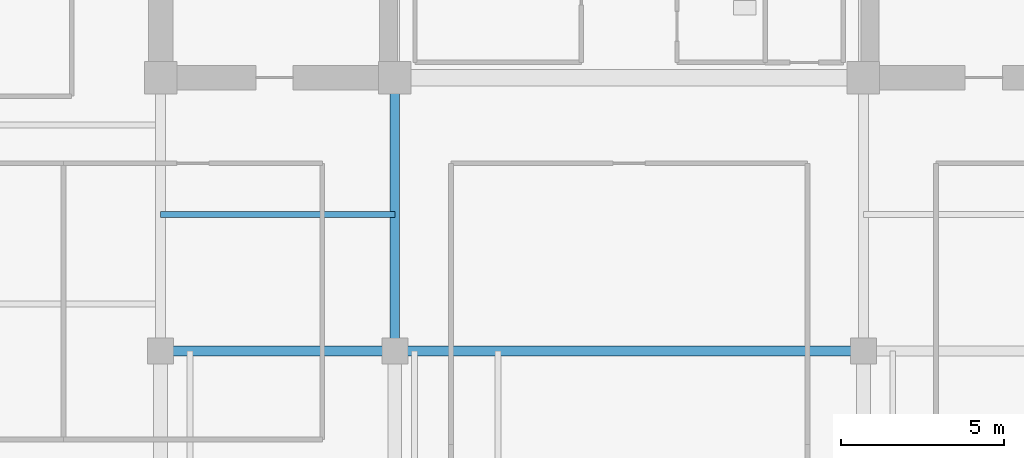
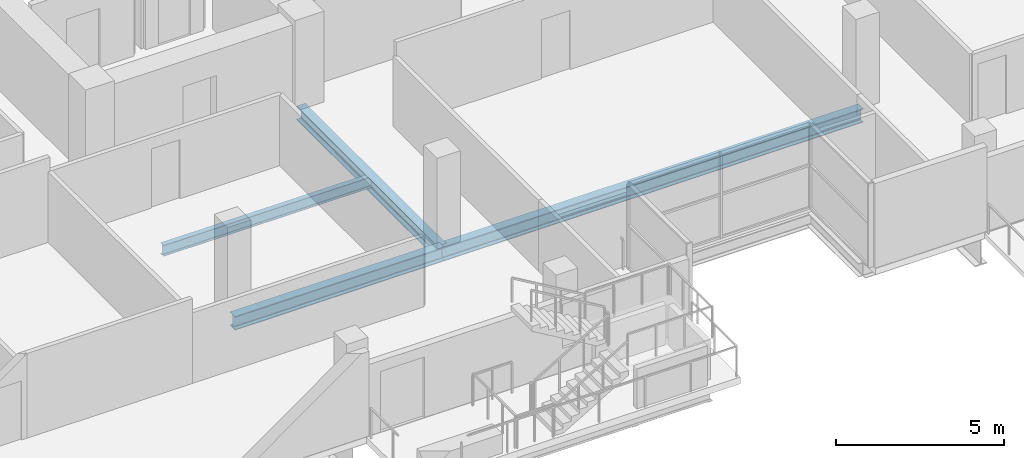
# One storey, part 4 of 23: 4 beams.
"""IFC4 building model written with IfcOpenShell, lengths in metres."""

from ifc_helpers import new_model, si_unit, direction, frame, origin, origin_2d, place, context, subcontext, project, spatial, i_section, extrude, material, material_profile, profile_set, type_object, element, save


model = new_model("IFC4")

# Units and contexts
model_context = context("Model", 3, precision=1e-05, world=origin(), true_north=direction((0.0, 1.0)))
body_context = subcontext(model_context, "Body", "Model", "MODEL_VIEW")
ifc_project = project(units=[si_unit("LENGTHUNIT", "METRE"), si_unit("AREAUNIT", "SQUARE_METRE"), si_unit("VOLUMEUNIT", "CUBIC_METRE"), si_unit("PLANEANGLEUNIT", "RADIAN"), si_unit("MASSUNIT", "GRAM", prefix="KILO")], contexts=[model_context])

# Site, building, storey
site_placement = place(None, origin())
site = spatial("IfcSite", under=ifc_project, at=site_placement, CompositionType="ELEMENT")
building_placement = place(site_placement, origin())
building = spatial("IfcBuilding", under=site, at=building_placement, Name="Zarnakvel Exchange Tower", CompositionType="ELEMENT")
storey_placement = place(building_placement, frame((0.0, 0.0, 146.199951171875)))
storey = spatial("IfcBuildingStorey", under=building, at=storey_placement, Name="L40", CompositionType="ELEMENT", Elevation=146.199951171875)

# Beams
ifc_material = material(Name="Steel S355", Category="steel")
ifc_material_profile_1 = material_profile(ifc_material, i_section(OverallWidth=0.179931640625, OverallDepth=0.39990234375, WebThickness=0.008544921875, FlangeThickness=0.013427734375, FilletRadius=0.02099609375, at=origin_2d()))
ifc_profile_set_1 = profile_set([ifc_material_profile_1], Name="Steel S355")
beam_type_1 = type_object("IfcBeamType", Name="B-06", PredefinedType="JOIST", material=ifc_profile_set_1)
beam_1_placement = place(storey_placement, frame((-14.39990234375, -5.39990234375, -0.425048828125), z_axis=(1.0, 0.0, 0.0), x_axis=(0.0, 1.0, 0.0)))
element("IfcBeam", 1, at=beam_1_placement, inside=storey, type_object=beam_type_1, Name="L40 Composite Floor Secondary Joist", PredefinedType="JOIST", context=body_context, shape_type="SweptSolid", body=[
    extrude(i_section(OverallWidth=0.179931640625, OverallDepth=0.39990234375, WebThickness=0.008544921875, FlangeThickness=0.013427734375, FilletRadius=0.02099609375, at=origin_2d()), origin(), (0.0, 0.0, 1.0), 7.199951171875),
])
ifc_material_profile_2 = material_profile(ifc_material, i_section(OverallWidth=0.300048828125, OverallDepth=0.5, WebThickness=0.014404296875, FlangeThickness=0.028076171875, FilletRadius=0.027099609375, at=origin_2d()))
ifc_profile_set_2 = profile_set([ifc_material_profile_2], Name="Steel S355")
beam_type_2 = type_object("IfcBeamType", Name="G-06", PredefinedType="BEAM", material=ifc_profile_set_2)
beam_2_placement = place(storey_placement, frame((-14.39990234375, -9.60009765625, -0.474853515625), z_axis=(1.0, 0.0, 0.0), x_axis=(0.0, 1.0, 0.0)))
element("IfcBeam", 2, at=beam_2_placement, inside=storey, type_object=beam_type_2, Name="L40 Tower E-W Frame Beam", PredefinedType="BEAM", context=body_context, shape_type="SweptSolid", body=[
    extrude(i_section(OverallWidth=0.300048828125, OverallDepth=0.5, WebThickness=0.014404296875, FlangeThickness=0.028076171875, FilletRadius=0.027099609375, at=origin_2d()), origin(), (0.0, 0.0, 1.0), 7.199951171875),
])
beam_3_placement = place(storey_placement, frame((-7.199951171875, -9.60009765625, -0.474853515625), z_axis=(1.0, 0.0, 0.0), x_axis=(0.0, 1.0, 0.0)))
element("IfcBeam", 3, at=beam_3_placement, inside=storey, type_object=beam_type_2, Name="L40 Tower E-W Frame Beam", PredefinedType="BEAM", context=body_context, shape_type="SweptSolid", body=[
    extrude(i_section(OverallWidth=0.300048828125, OverallDepth=0.5, WebThickness=0.014404296875, FlangeThickness=0.028076171875, FilletRadius=0.027099609375, at=origin_2d()), origin(), (0.0, 0.0, 1.0), 14.39990234375),
])
beam_4_placement = place(storey_placement, frame((-7.199951171875, -9.60009765625, -0.474853515625), z_axis=(0.0, 1.0, 0.0), x_axis=(-1.0, 0.0, 0.0)))
element("IfcBeam", 4, at=beam_4_placement, inside=storey, type_object=beam_type_2, Name="L40 Tower N-S Frame Beam", PredefinedType="BEAM", context=body_context, shape_type="SweptSolid", body=[
    extrude(i_section(OverallWidth=0.300048828125, OverallDepth=0.5, WebThickness=0.014404296875, FlangeThickness=0.028076171875, FilletRadius=0.027099609375, at=origin_2d()), origin(), (0.0, 0.0, 1.0), 8.400146484375),
])

save(model, "model.ifc")
